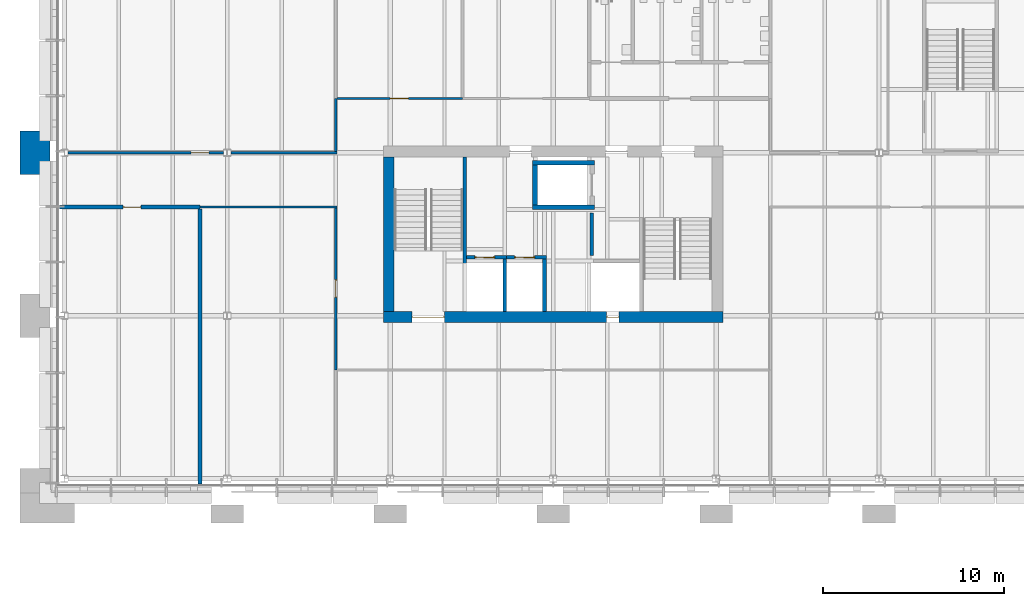
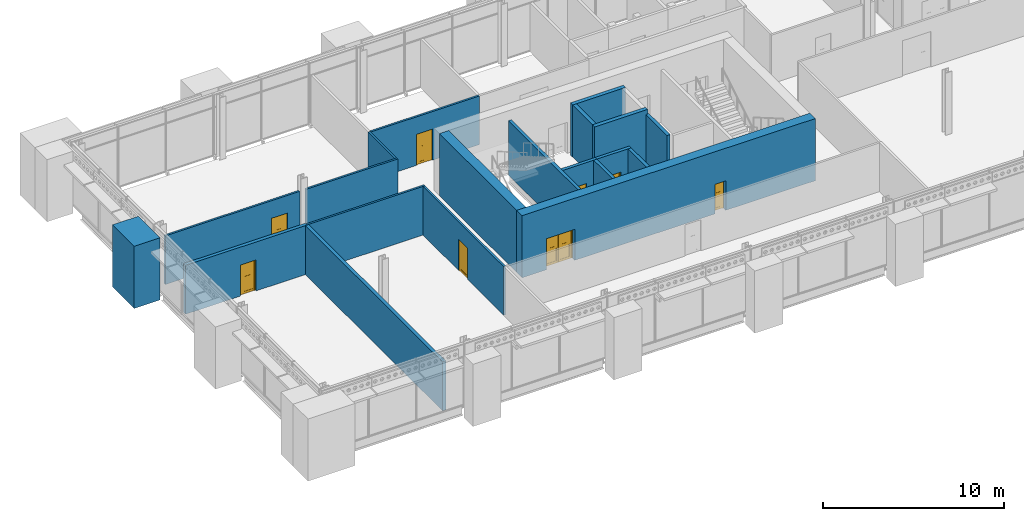
# One storey, part 26 of 54: 20 walls, 8 doors, 8 openings.
"""IFC4 building model written with IfcOpenShell, lengths in metres."""

from ifc_helpers import new_model, si_unit, direction, frame, frame_2d, origin, place, context, subcontext, project, spatial, polyline, rectangle, outline, extrude, material, layer, layer_set, type_object, element, fill, save


model = new_model("IFC4")

# Units and contexts
model_context = context("Model", 3, precision=1e-05, world=origin(), true_north=direction((0.0, 1.0)))
body_context = subcontext(model_context, "Body", "Model", "MODEL_VIEW")
ifc_project = project(units=[si_unit("LENGTHUNIT", "METRE"), si_unit("AREAUNIT", "SQUARE_METRE"), si_unit("VOLUMEUNIT", "CUBIC_METRE"), si_unit("PLANEANGLEUNIT", "RADIAN"), si_unit("MASSUNIT", "GRAM", prefix="KILO")], contexts=[model_context])

# Site, building, storey
site_placement = place(None, origin())
site = spatial("IfcSite", under=ifc_project, at=site_placement, CompositionType="ELEMENT")
building_placement = place(site_placement, origin())
building = spatial("IfcBuilding", under=site, at=building_placement, Name="Baradari Gate Terminus", CompositionType="ELEMENT")
storey_placement = place(building_placement, frame((0.0, 0.0, 15.89990234375)))
storey = spatial("IfcBuildingStorey", under=building, at=storey_placement, Name="L03", CompositionType="ELEMENT", Elevation=15.89990234375)

# Wall, opening, door
ifc_material_1 = material(Name="Gypsum board")
ifc_layer_1 = layer(ifc_material_1, 0.125)
ifc_layer_set_1 = layer_set([ifc_layer_1], Name="Gypsum board")
wall_type_1 = type_object("IfcWallType", Name="Corridor partition PT-5 125 EI 30", PredefinedType="PARTITIONING", material=ifc_layer_set_1)
wall_1_placement = place(storey_placement, frame((24.0, 123.0, 0.0), z_axis=(0.0, 0.0, 1.0), x_axis=(0.0, 1.0, 0.0)))
wall_1 = element("IfcWall", 1, at=wall_1_placement, inside=storey, type_object=wall_type_1, Name="PT-5 partition Corridor / Dispatch Office", PredefinedType="PARTITIONING", context=body_context, shape_type="SweptSolid", body=[
    extrude(rectangle(XDim=8.9375, YDim=0.125, at=frame_2d((4.46875, 0.0))), origin(), (0.0, 0.0, 1.0), 3.287109375),
])
opening_1_placement = place(wall_1_placement, frame((4.0, 0.0, 0.0)))
opening_1 = element("IfcOpeningElement", 2, at=opening_1_placement, cuts=wall_1, Name="Opening D03-021", PredefinedType="OPENING", context=body_context, shape_type="SweptSolid", body=[
    extrude(rectangle(XDim=1.0, YDim=2.10009765625, at=frame_2d((0.5, 1.050048828125))), frame((0.0, 0.072509765625, 0.0), z_axis=(0.0, -1.0, 0.0), x_axis=(1.0, 0.0, 0.0)), (0.0, 0.0, 1.0), 0.14501953125),
])
ifc_material_2 = material(Name="Steel S275", Category="steel")
door_type_1 = type_object("IfcDoorType", Name="Fire door FI-1000-FD30S 1000x2100 FD30S", OperationType="SINGLE_SWING_LEFT", PredefinedType="DOOR", material=ifc_material_2)
door_1_placement = place(opening_1_placement, origin())
door_1 = element("IfcDoor", 3, at=door_1_placement, inside=storey, type_object=door_type_1, Name="Door Dispatch Office", OperationType="SINGLE_SWING_RIGHT", OverallHeight=2.1, OverallWidth=1.0, PredefinedType="DOOR", context=body_context, shape_type="SweptSolid", body=[
    extrude(outline(polyline([(0.0, 0.0), (0.070068359375, 0.0), (0.070068359375, 2.030029296875), (0.929931640625, 2.030029296875), (0.929931640625, 0.0), (1.0, 0.0), (1.0, 2.10009765625), (0.0, 2.10009765625), (0.0, 0.0)])), frame((0.0, 0.02490234375, 0.0), z_axis=(0.0, -1.0, 0.0), x_axis=(1.0, 0.0, 0.0)), (0.0, 0.0, 1.0), 0.050048828125),
    extrude(outline(polyline([(0.073974609375, 0.010009765625), (0.926025390625, 0.010009765625), (0.926025390625, 2.026123046875), (0.073974609375, 2.026123046875), (0.073974609375, 0.010009765625)]), holes=[polyline([(0.194091796875, 0.159912109375), (0.805908203125, 0.159912109375), (0.805908203125, 1.010009765625), (0.194091796875, 1.010009765625), (0.194091796875, 0.159912109375)]), polyline([(0.35009765625, 1.159912109375), (0.64990234375, 1.159912109375), (0.64990234375, 1.760009765625), (0.35009765625, 1.760009765625), (0.35009765625, 1.159912109375)])]), frame((0.0, 0.017333984375, 0.0), z_axis=(0.0, -1.0, 0.0), x_axis=(1.0, 0.0, 0.0)), (0.0, 0.0, 1.0), 0.034912109375),
    extrude(rectangle(XDim=0.61181640625, YDim=0.85009765625, at=frame_2d((0.5, 0.5849609375))), frame((0.0, 0.008544921875, 0.0), z_axis=(0.0, -1.0, 0.0), x_axis=(1.0, 0.0, 0.0)), (0.0, 0.0, 1.0), 0.017333984375),
    extrude(rectangle(XDim=0.2998046875, YDim=0.60009765625, at=frame_2d((0.5, 1.4599609375))), frame((0.0, 0.005859375, 0.0), z_axis=(0.0, -1.0, 0.0), x_axis=(1.0, 0.0, 0.0)), (0.0, 0.0, 1.0), 0.011962890625),
])
fill(opening_1, door_1)

# Wall
wall_2_placement = place(storey_placement, frame((24.0625, 132.0, 0.0), z_axis=(0.0, 0.0, 1.0), x_axis=(-1.0, 0.0, 0.0)))
element("IfcWall", 4, at=wall_2_placement, inside=storey, type_object=wall_type_1, Name="PT-5 partition Corridor / Dispatch Office", PredefinedType="PARTITIONING", context=body_context, shape_type="SweptSolid", body=[
    extrude(rectangle(XDim=7.5625, YDim=0.125, at=frame_2d((3.78125, 0.0))), origin(), (0.0, 0.0, 1.0), 3.287109375),
])

# Wall, opening, door
wall_3_placement = place(storey_placement, frame((9.197509765625, 135.0, 0.0), z_axis=(0.0, 0.0, 1.0), x_axis=(1.0, 0.0, 0.0)))
wall_3 = element("IfcWall", 5, at=wall_3_placement, inside=storey, type_object=wall_type_1, Name="PT-5 partition Corridor / Operations Control Room", PredefinedType="PARTITIONING", context=body_context, shape_type="SweptSolid", body=[
    extrude(rectangle(XDim=8.60107421875, YDim=0.125, at=frame_2d((4.300537109375, 0.0))), origin(), (0.0, 0.0, 1.0), 3.287109375),
])
opening_2_placement = place(wall_3_placement, frame((6.802490234375, 0.0, 0.0)))
opening_2 = element("IfcOpeningElement", 6, at=opening_2_placement, cuts=wall_3, Name="Opening D03-019", PredefinedType="OPENING", context=body_context, shape_type="SweptSolid", body=[
    extrude(rectangle(XDim=1.0, YDim=2.10009765625, at=frame_2d((0.5, 1.050048828125))), frame((0.0, 0.072509765625, 0.0), z_axis=(0.0, -1.0, 0.0), x_axis=(1.0, 0.0, 0.0)), (0.0, 0.0, 1.0), 0.14501953125),
])
door_2_placement = place(opening_2_placement, origin())
door_2 = element("IfcDoor", 7, at=door_2_placement, inside=storey, type_object=door_type_1, Name="Door Operations Control Room", OperationType="SINGLE_SWING_RIGHT", OverallHeight=2.1, OverallWidth=1.0, PredefinedType="DOOR", context=body_context, shape_type="SweptSolid", body=[
    extrude(outline(polyline([(0.0, 0.0), (0.070068359375, 0.0), (0.070068359375, 2.030029296875), (0.929931640625, 2.030029296875), (0.929931640625, 0.0), (1.0, 0.0), (1.0, 2.10009765625), (0.0, 2.10009765625), (0.0, 0.0)])), frame((0.0, 0.02490234375, 0.0), z_axis=(0.0, -1.0, 0.0), x_axis=(1.0, 0.0, 0.0)), (0.0, 0.0, 1.0), 0.050048828125),
    extrude(outline(polyline([(0.073974609375, 0.010009765625), (0.926025390625, 0.010009765625), (0.926025390625, 2.026123046875), (0.073974609375, 2.026123046875), (0.073974609375, 0.010009765625)]), holes=[polyline([(0.194091796875, 0.159912109375), (0.805908203125, 0.159912109375), (0.805908203125, 1.010009765625), (0.194091796875, 1.010009765625), (0.194091796875, 0.159912109375)]), polyline([(0.35009765625, 1.159912109375), (0.64990234375, 1.159912109375), (0.64990234375, 1.760009765625), (0.35009765625, 1.760009765625), (0.35009765625, 1.159912109375)])]), frame((0.0, 0.017333984375, 0.0), z_axis=(0.0, -1.0, 0.0), x_axis=(1.0, 0.0, 0.0)), (0.0, 0.0, 1.0), 0.034912109375),
    extrude(rectangle(XDim=0.61181640625, YDim=0.85009765625, at=frame_2d((0.5, 0.5849609375))), frame((0.0, 0.008544921875, 0.0), z_axis=(0.0, -1.0, 0.0), x_axis=(1.0, 0.0, 0.0)), (0.0, 0.0, 1.0), 0.017333984375),
    extrude(rectangle(XDim=0.2998046875, YDim=0.60009765625, at=frame_2d((0.5, 1.4599609375))), frame((0.0, 0.005859375, 0.0), z_axis=(0.0, -1.0, 0.0), x_axis=(1.0, 0.0, 0.0)), (0.0, 0.0, 1.0), 0.011962890625),
])
fill(opening_2, door_2)

# Walls
wall_4_placement = place(storey_placement, frame((18.201416015625, 135.0, 0.0), z_axis=(0.0, 0.0, 1.0), x_axis=(1.0, 0.0, 0.0)))
element("IfcWall", 8, at=wall_4_placement, inside=storey, type_object=wall_type_1, Name="PT-5 partition Corridor / Operations Control Room", PredefinedType="PARTITIONING", context=body_context, shape_type="SweptSolid", body=[
    extrude(rectangle(XDim=5.861083984375, YDim=0.125, at=frame_2d((2.9306640625, 0.0))), origin(), (0.0, 0.0, 1.0), 3.287109375),
])
wall_5_placement = place(storey_placement, frame((24.0, 135.0625, 0.0), z_axis=(0.0, 0.0, 1.0), x_axis=(0.0, 1.0, 0.0)))
element("IfcWall", 9, at=wall_5_placement, inside=storey, type_object=wall_type_1, Name="PT-5 partition Corridor / Operations Control Room", PredefinedType="PARTITIONING", context=body_context, shape_type="SweptSolid", body=[
    extrude(rectangle(XDim=2.9375, YDim=0.125, at=frame_2d((1.46875, 0.0))), origin(), (0.0, 0.0, 1.0), 3.287109375),
])

# Wall, opening, door
wall_6_placement = place(storey_placement, frame((24.074951171875, 138.0, 0.0), z_axis=(0.0, 0.0, 1.0), x_axis=(1.0, 0.0, 0.0)))
wall_6 = element("IfcWall", 10, at=wall_6_placement, inside=storey, type_object=wall_type_1, Name="PT-5 partition Corridor / Duty Manager Office", PredefinedType="PARTITIONING", context=body_context, shape_type="SweptSolid", body=[
    extrude(rectangle(XDim=6.925048828125, YDim=0.125, at=frame_2d((3.46240234375, 0.0))), origin(), (0.0, 0.0, 1.0), 3.287109375),
])
opening_3_placement = place(wall_6_placement, frame((2.925048828125, 0.0, 0.0)))
opening_3 = element("IfcOpeningElement", 11, at=opening_3_placement, cuts=wall_6, Name="Opening D03-023", PredefinedType="OPENING", context=body_context, shape_type="SweptSolid", body=[
    extrude(rectangle(XDim=1.0, YDim=2.10009765625, at=frame_2d((0.5, 1.050048828125))), frame((0.0, 0.072509765625, 0.0), z_axis=(0.0, -1.0, 0.0), x_axis=(1.0, 0.0, 0.0)), (0.0, 0.0, 1.0), 0.14501953125),
])
door_3_placement = place(opening_3_placement, origin())
door_3 = element("IfcDoor", 12, at=door_3_placement, inside=storey, type_object=door_type_1, Name="Door Duty Manager Office", OperationType="SINGLE_SWING_LEFT", OverallHeight=2.1, OverallWidth=1.0, PredefinedType="DOOR", context=body_context, shape_type="SweptSolid", body=[
    extrude(outline(polyline([(0.0, 0.0), (0.070068359375, 0.0), (0.070068359375, 2.030029296875), (0.929931640625, 2.030029296875), (0.929931640625, 0.0), (1.0, 0.0), (1.0, 2.10009765625), (0.0, 2.10009765625), (0.0, 0.0)])), frame((0.0, 0.02490234375, 0.0), z_axis=(0.0, -1.0, 0.0), x_axis=(1.0, 0.0, 0.0)), (0.0, 0.0, 1.0), 0.050048828125),
    extrude(outline(polyline([(0.073974609375, 0.010009765625), (0.926025390625, 0.010009765625), (0.926025390625, 2.026123046875), (0.073974609375, 2.026123046875), (0.073974609375, 0.010009765625)]), holes=[polyline([(0.194091796875, 0.159912109375), (0.805908203125, 0.159912109375), (0.805908203125, 1.010009765625), (0.194091796875, 1.010009765625), (0.194091796875, 0.159912109375)]), polyline([(0.35009765625, 1.159912109375), (0.64990234375, 1.159912109375), (0.64990234375, 1.760009765625), (0.35009765625, 1.760009765625), (0.35009765625, 1.159912109375)])]), frame((0.0, 0.017333984375, 0.0), z_axis=(0.0, -1.0, 0.0), x_axis=(1.0, 0.0, 0.0)), (0.0, 0.0, 1.0), 0.034912109375),
    extrude(rectangle(XDim=0.61181640625, YDim=0.85009765625, at=frame_2d((0.5, 0.5849609375))), frame((0.0, 0.008544921875, 0.0), z_axis=(0.0, -1.0, 0.0), x_axis=(1.0, 0.0, 0.0)), (0.0, 0.0, 1.0), 0.017333984375),
    extrude(rectangle(XDim=0.2998046875, YDim=0.60009765625, at=frame_2d((0.5, 1.4599609375))), frame((0.0, 0.005859375, 0.0), z_axis=(0.0, -1.0, 0.0), x_axis=(1.0, 0.0, 0.0)), (0.0, 0.0, 1.0), 0.011962890625),
])
fill(opening_3, door_3)

# Walls
ifc_material_3 = material(Name="Concrete C32/40", Category="concrete")
ifc_layer_2 = layer(ifc_material_3, 0.25)
ifc_layer_set_2 = layer_set([ifc_layer_2], Name="Concrete C32/40")
wall_type_2 = type_object("IfcWallType", Name="Firefighting lift shaft wall SH-2 250 EI 120", PredefinedType="SOLIDWALL", material=ifc_layer_set_2)
for number, where, z_axis, x_axis, name in (
    (13, (34.875, 132.0, 0.0), (0.0, 0.0, 1.0), (1.0, 0.0, 0.0), "Lift shaft wall LT3 L03 S"),
    (14, (34.875, 134.449951171875, 0.0), (0.0, 0.0, 1.0), (1.0, 0.0, 0.0), "Lift shaft wall LT3 L03 N"),
):
    element("IfcWall", number, at=place(storey_placement, frame(where, z_axis=z_axis, x_axis=x_axis)), inside=storey, type_object=wall_type_2, Name=name, PredefinedType="SOLIDWALL", context=body_context, shape_type="SweptSolid", body=[
        extrude(rectangle(XDim=3.39990234375, YDim=0.25, at=frame_2d((1.699951171875, 0.0))), origin(), (0.0, 0.0, 1.0), 3.51611328125),
    ])
wall_7_placement = place(storey_placement, frame((35.0, 132.125, 0.0), z_axis=(0.0, 0.0, 1.0), x_axis=(0.0, 1.0, 0.0)))
element("IfcWall", 15, at=wall_7_placement, inside=storey, type_object=wall_type_2, Name="Lift shaft wall LT3 L03 W", PredefinedType="SOLIDWALL", context=body_context, shape_type="SweptSolid", body=[
    extrude(rectangle(XDim=2.199951171875, YDim=0.25, at=frame_2d((1.10009765625, 0.0))), origin(), (0.0, 0.0, 1.0), 3.51611328125),
])

# Wall, opening, door
ifc_material_4 = material(Name="Blockwork wall, fire rated", Category="masonry")
ifc_layer_3 = layer(ifc_material_4, 0.199951171875)
ifc_layer_set_3 = layer_set([ifc_layer_3], Name="Blockwork wall, fire rated")
wall_type_3 = type_object("IfcWallType", Name="Lift shaft wall SH-1 200 EI 120", PredefinedType="SOLIDWALL", material=ifc_layer_set_3)
wall_8_placement = place(storey_placement, frame((31.22705078125, 129.22509765625, 0.0), z_axis=(0.0, 0.0, 1.0), x_axis=(1.0, 0.0, 0.0)))
wall_8 = element("IfcWall", 16, at=wall_8_placement, inside=storey, type_object=wall_type_3, Name="Lift shaft wall LT1 L03 N", PredefinedType="SOLIDWALL", context=body_context, shape_type="SweptSolid", body=[
    extrude(rectangle(XDim=2.197998046875, YDim=0.199951171875, at=frame_2d((1.09912109375, 0.0))), origin(), (0.0, 0.0, 1.0), 3.51611328125),
])
opening_4_placement = place(wall_8_placement, frame((0.447998046875, 0.0, 0.0)))
opening_4 = element("IfcOpeningElement", 17, at=opening_4_placement, cuts=wall_8, Name="Opening D03-005", PredefinedType="OPENING", context=body_context, shape_type="SweptSolid", body=[
    extrude(rectangle(XDim=1.10009765625, YDim=2.10009765625, at=frame_2d((0.550048828125, 1.050048828125))), frame((0.0, 0.10986328125, 0.0), z_axis=(0.0, -1.0, 0.0), x_axis=(1.0, 0.0, 0.0)), (0.0, 0.0, 1.0), 0.219970703125),
])
ifc_material_5 = material(Name="Stainless steel 1.4301", Category="steel")
door_type_2 = type_object("IfcDoorType", Name="Lift landing door LD 1100x2100 E 120", OperationType="SLIDING_TO_LEFT", PredefinedType="DOOR", material=ifc_material_5)
door_4_placement = place(opening_4_placement, origin())
door_4 = element("IfcDoor", 18, at=door_4_placement, inside=storey, type_object=door_type_2, Name="Lift landing door LT1 L03", OperationType="SLIDING_TO_LEFT", OverallHeight=2.1, OverallWidth=1.1, PredefinedType="DOOR", context=body_context, shape_type="SweptSolid", body=[
    extrude(outline(polyline([(0.0, 0.0), (0.070068359375, 0.0), (0.070068359375, 2.030029296875), (1.030029296875, 2.030029296875), (1.030029296875, 0.0), (1.10009765625, 0.0), (1.10009765625, 2.10009765625), (0.0, 2.10009765625), (0.0, 0.0)])), frame((0.0, 0.02490234375, 0.0), z_axis=(0.0, -1.0, 0.0), x_axis=(1.0, 0.0, 0.0)), (0.0, 0.0, 1.0), 0.050048828125),
    extrude(rectangle(XDim=0.523681640625, YDim=2.01611328125, at=frame_2d((0.3359375, 1.01806640625))), frame((0.0, 0.017822265625, 0.0), z_axis=(0.0, -1.0, 0.0), x_axis=(1.0, 0.0, 0.0)), (0.0, 0.0, 1.0), 0.015869140625),
    extrude(rectangle(XDim=0.519775390625, YDim=2.01611328125, at=frame_2d((0.76611328125, 1.01806640625))), frame((0.0, -0.002197265625, 0.0), z_axis=(0.0, -1.0, 0.0), x_axis=(1.0, 0.0, 0.0)), (0.0, 0.0, 1.0), 0.015869140625),
])
fill(opening_4, door_4)

# Wall
wall_9_placement = place(storey_placement, frame((33.324951171875, 126.22705078125, 0.0), z_axis=(0.0, 0.0, 1.0), x_axis=(0.0, 1.0, 0.0)))
element("IfcWall", 19, at=wall_9_placement, inside=storey, type_object=wall_type_3, Name="Lift shaft wall LT1 L03 E", PredefinedType="SOLIDWALL", context=body_context, shape_type="SweptSolid", body=[
    extrude(rectangle(XDim=2.89794921875, YDim=0.199951171875, at=frame_2d((1.448974609375, 0.0))), origin(), (0.0, 0.0, 1.0), 3.51611328125),
])

# Wall, opening, door
wall_10_placement = place(storey_placement, frame((33.427001953125, 129.22509765625, 0.0), z_axis=(0.0, 0.0, 1.0), x_axis=(1.0, 0.0, 0.0)))
wall_10 = element("IfcWall", 20, at=wall_10_placement, inside=storey, type_object=wall_type_3, Name="Lift shaft wall LT2 L03 N", PredefinedType="SOLIDWALL", context=body_context, shape_type="SweptSolid", body=[
    extrude(rectangle(XDim=2.197998046875, YDim=0.199951171875, at=frame_2d((1.09912109375, 0.0))), origin(), (0.0, 0.0, 1.0), 3.51611328125),
])
opening_5_placement = place(wall_10_placement, frame((0.447998046875, 0.0, 0.0)))
opening_5 = element("IfcOpeningElement", 21, at=opening_5_placement, cuts=wall_10, Name="Opening D03-006", PredefinedType="OPENING", context=body_context, shape_type="SweptSolid", body=[
    extrude(rectangle(XDim=1.10009765625, YDim=2.10009765625, at=frame_2d((0.550048828125, 1.050048828125))), frame((0.0, 0.10986328125, 0.0), z_axis=(0.0, -1.0, 0.0), x_axis=(1.0, 0.0, 0.0)), (0.0, 0.0, 1.0), 0.219970703125),
])
door_5_placement = place(opening_5_placement, origin())
door_5 = element("IfcDoor", 22, at=door_5_placement, inside=storey, type_object=door_type_2, Name="Lift landing door LT2 L03", OperationType="SLIDING_TO_LEFT", OverallHeight=2.1, OverallWidth=1.1, PredefinedType="DOOR", context=body_context, shape_type="SweptSolid", body=[
    extrude(outline(polyline([(0.0, 0.0), (0.070068359375, 0.0), (0.070068359375, 2.030029296875), (1.030029296875, 2.030029296875), (1.030029296875, 0.0), (1.10009765625, 0.0), (1.10009765625, 2.10009765625), (0.0, 2.10009765625), (0.0, 0.0)])), frame((0.0, 0.02490234375, 0.0), z_axis=(0.0, -1.0, 0.0), x_axis=(1.0, 0.0, 0.0)), (0.0, 0.0, 1.0), 0.050048828125),
    extrude(rectangle(XDim=0.523681640625, YDim=2.01611328125, at=frame_2d((0.3359375, 1.01806640625))), frame((0.0, 0.017822265625, 0.0), z_axis=(0.0, -1.0, 0.0), x_axis=(1.0, 0.0, 0.0)), (0.0, 0.0, 1.0), 0.015869140625),
    extrude(rectangle(XDim=0.519775390625, YDim=2.01611328125, at=frame_2d((0.76611328125, 1.01806640625))), frame((0.0, -0.002197265625, 0.0), z_axis=(0.0, -1.0, 0.0), x_axis=(1.0, 0.0, 0.0)), (0.0, 0.0, 1.0), 0.015869140625),
])
fill(opening_5, door_5)

# Walls
wall_11_placement = place(storey_placement, frame((35.52490234375, 126.22705078125, 0.0), z_axis=(0.0, 0.0, 1.0), x_axis=(0.0, 1.0, 0.0)))
element("IfcWall", 23, at=wall_11_placement, inside=storey, type_object=wall_type_3, Name="Lift shaft wall LT2 L03 E", PredefinedType="SOLIDWALL", context=body_context, shape_type="SweptSolid", body=[
    extrude(rectangle(XDim=2.89794921875, YDim=0.199951171875, at=frame_2d((1.448974609375, 0.0))), origin(), (0.0, 0.0, 1.0), 3.51611328125),
])
ifc_material_6 = material(Name="Blockwork wall, plastered, fire rated", Category="masonry")
ifc_layer_4 = layer(ifc_material_6, 0.199951171875)
ifc_layer_set_4 = layer_set([ifc_layer_4], Name="Blockwork wall, plastered, fire rated")
wall_type_4 = type_object("IfcWallType", Name="Lobby partition PT-4 200 EI 60", PredefinedType="PARTITIONING", material=ifc_layer_set_4)
wall_12_placement = place(storey_placement, frame((38.125, 131.675048828125, 0.0), z_axis=(0.0, 0.0, 1.0), x_axis=(0.0, -1.0, 0.0)))
element("IfcWall", 24, at=wall_12_placement, inside=storey, type_object=wall_type_4, Name="PT-4 partition Lift Lobby / Lift Lobby (Fire-fighting)", PredefinedType="PARTITIONING", context=body_context, shape_type="SweptSolid", body=[
    extrude(rectangle(XDim=2.35009765625, YDim=0.199951171875, at=frame_2d((1.175048828125, 0.0))), origin(), (0.0, 0.0, 1.0), 3.382080078125),
])

# Wall, openings, doors
ifc_material_7 = material(Name="Concrete C40/50", Category="concrete")
ifc_layer_5 = layer(ifc_material_7, 0.60009765625)
ifc_layer_set_5 = layer_set([ifc_layer_5], Name="Concrete C40/50")
wall_type_5 = type_object("IfcWallType", Name="Operations block core wall CWL01 600", PredefinedType="SOLIDWALL", material=ifc_layer_set_5)
wall_13_placement = place(storey_placement, frame((26.625, 125.925048828125, 0.0), z_axis=(0.0, 0.0, 1.0), x_axis=(1.0, 0.0, 0.0)))
wall_13 = element("IfcWall", 25, at=wall_13_placement, inside=storey, type_object=wall_type_5, Name="Operations block core wall CT S L03", PredefinedType="SOLIDWALL", context=body_context, shape_type="SweptSolid", body=[
    extrude(rectangle(XDim=18.75, YDim=0.60009765625, at=frame_2d((9.375, 0.0))), origin(), (0.0, 0.0, 1.0), 4.2001953125),
])
opening_6_placement = place(wall_13_placement, frame((1.574951171875, 0.0, 0.0)))
opening_6 = element("IfcOpeningElement", 26, at=opening_6_placement, cuts=wall_13, Name="Opening D03-008", PredefinedType="OPENING", context=body_context, shape_type="SweptSolid", body=[
    extrude(rectangle(XDim=1.800048828125, YDim=2.10009765625, at=frame_2d((0.89990234375, 1.050048828125))), frame((0.0, 0.31005859375, 0.0), z_axis=(0.0, -1.0, 0.0), x_axis=(1.0, 0.0, 0.0)), (0.0, 0.0, 1.0), 0.6201171875),
])
opening_7_placement = place(wall_13_placement, frame((12.324951171875, 0.0, 0.0)))
opening_7 = element("IfcOpeningElement", 27, at=opening_7_placement, cuts=wall_13, Name="Opening D03-012", PredefinedType="OPENING", context=body_context, shape_type="SweptSolid", body=[
    extrude(rectangle(XDim=0.699951171875, YDim=2.0, at=frame_2d((0.35009765625, 1.0))), frame((0.0, 0.31005859375, 0.0), z_axis=(0.0, -1.0, 0.0), x_axis=(1.0, 0.0, 0.0)), (0.0, 0.0, 1.0), 0.6201171875),
])
ifc_material_8 = material(Name="Steel S275", Category="steel")
door_type_3 = type_object("IfcDoorType", Name="Fire door FI-1800-FD90S 1800x2100 FD90S", OperationType="DOUBLE_DOOR_SINGLE_SWING", PredefinedType="DOOR", material=ifc_material_8)
door_6_placement = place(opening_6_placement, origin())
door_6 = element("IfcDoor", 28, at=door_6_placement, inside=storey, type_object=door_type_3, Name="Door Stair (Core) 1", OperationType="DOUBLE_DOOR_SINGLE_SWING", OverallHeight=2.1, OverallWidth=1.8, PredefinedType="DOOR", context=body_context, shape_type="SweptSolid", body=[
    extrude(outline(polyline([(0.0, 0.0), (0.070068359375, 0.0), (0.070068359375, 2.030029296875), (1.72998046875, 2.030029296875), (1.72998046875, 0.0), (1.800048828125, 0.0), (1.800048828125, 2.10009765625), (0.0, 2.10009765625), (0.0, 0.0)])), frame((0.0, 0.02490234375, 0.0), z_axis=(0.0, -1.0, 0.0), x_axis=(1.0, 0.0, 0.0)), (0.0, 0.0, 1.0), 0.050048828125),
    extrude(outline(polyline([(0.073974609375, 0.010009765625), (0.89697265625, 0.010009765625), (0.89697265625, 2.026123046875), (0.073974609375, 2.026123046875), (0.073974609375, 0.010009765625)]), holes=[polyline([(0.194091796875, 0.159912109375), (0.77685546875, 0.159912109375), (0.77685546875, 1.010009765625), (0.194091796875, 1.010009765625), (0.194091796875, 0.159912109375)]), polyline([(0.33544921875, 1.159912109375), (0.635498046875, 1.159912109375), (0.635498046875, 1.760009765625), (0.33544921875, 1.760009765625), (0.33544921875, 1.159912109375)])]), frame((0.0, 0.017333984375, 0.0), z_axis=(0.0, -1.0, 0.0), x_axis=(1.0, 0.0, 0.0)), (0.0, 0.0, 1.0), 0.034912109375),
    extrude(rectangle(XDim=0.582763671875, YDim=0.85009765625, at=frame_2d((0.4853515625, 0.5849609375))), frame((0.0, 0.008544921875, 0.0), z_axis=(0.0, -1.0, 0.0), x_axis=(1.0, 0.0, 0.0)), (0.0, 0.0, 1.0), 0.017333984375),
    extrude(rectangle(XDim=0.300048828125, YDim=0.60009765625, at=frame_2d((0.4853515625, 1.4599609375))), frame((0.0, 0.005859375, 0.0), z_axis=(0.0, -1.0, 0.0), x_axis=(1.0, 0.0, 0.0)), (0.0, 0.0, 1.0), 0.011962890625),
    extrude(outline(polyline([(0.903076171875, 0.010009765625), (1.72607421875, 0.010009765625), (1.72607421875, 2.026123046875), (0.903076171875, 2.026123046875), (0.903076171875, 0.010009765625)]), holes=[polyline([(1.023193359375, 0.159912109375), (1.60595703125, 0.159912109375), (1.60595703125, 1.010009765625), (1.023193359375, 1.010009765625), (1.023193359375, 0.159912109375)]), polyline([(1.16455078125, 1.159912109375), (1.464599609375, 1.159912109375), (1.464599609375, 1.760009765625), (1.16455078125, 1.760009765625), (1.16455078125, 1.159912109375)])]), frame((0.0, 0.017333984375, 0.0), z_axis=(0.0, -1.0, 0.0), x_axis=(1.0, 0.0, 0.0)), (0.0, 0.0, 1.0), 0.034912109375),
    extrude(rectangle(XDim=0.582763671875, YDim=0.85009765625, at=frame_2d((1.314453125, 0.5849609375))), frame((0.0, 0.008544921875, 0.0), z_axis=(0.0, -1.0, 0.0), x_axis=(1.0, 0.0, 0.0)), (0.0, 0.0, 1.0), 0.017333984375),
    extrude(rectangle(XDim=0.300048828125, YDim=0.60009765625, at=frame_2d((1.314453125, 1.4599609375))), frame((0.0, 0.005859375, 0.0), z_axis=(0.0, -1.0, 0.0), x_axis=(1.0, 0.0, 0.0)), (0.0, 0.0, 1.0), 0.011962890625),
])
fill(opening_6, door_6)
ifc_material_9 = material(Name="Steel S275", Category="steel")
door_type_4 = type_object("IfcDoorType", Name="Fire door FI-700x2000-FD90S 700x2000 FD90S", OperationType="SINGLE_SWING_LEFT", PredefinedType="DOOR", material=ifc_material_9)
door_7_placement = place(opening_7_placement, origin())
door_7 = element("IfcDoor", 29, at=door_7_placement, inside=storey, type_object=door_type_4, Name="Door Riser", OperationType="SINGLE_SWING_RIGHT", OverallHeight=2.0, OverallWidth=0.7, PredefinedType="DOOR", context=body_context, shape_type="SweptSolid", body=[
    extrude(outline(polyline([(0.0, 0.0), (0.070068359375, 0.0), (0.070068359375, 1.929931640625), (0.6298828125, 1.929931640625), (0.6298828125, 0.0), (0.699951171875, 0.0), (0.699951171875, 2.0), (0.0, 2.0), (0.0, 0.0)])), frame((0.0, 0.02490234375, 0.0), z_axis=(0.0, -1.0, 0.0), x_axis=(1.0, 0.0, 0.0)), (0.0, 0.0, 1.0), 0.050048828125),
    extrude(outline(polyline([(0.073974609375, 0.010009765625), (0.6259765625, 0.010009765625), (0.6259765625, 1.926025390625), (0.073974609375, 1.926025390625), (0.073974609375, 0.010009765625)]), holes=[polyline([(0.184326171875, 0.159912109375), (0.515625, 0.159912109375), (0.515625, 1.010009765625), (0.184326171875, 1.010009765625), (0.184326171875, 0.159912109375)]), polyline([(0.199951171875, 1.159912109375), (0.5, 1.159912109375), (0.5, 1.760009765625), (0.199951171875, 1.760009765625), (0.199951171875, 1.159912109375)])]), frame((0.0, 0.017333984375, 0.0), z_axis=(0.0, -1.0, 0.0), x_axis=(1.0, 0.0, 0.0)), (0.0, 0.0, 1.0), 0.034912109375),
    extrude(rectangle(XDim=0.331298828125, YDim=0.85009765625, at=frame_2d((0.35009765625, 0.5849609375))), frame((0.0, 0.008544921875, 0.0), z_axis=(0.0, -1.0, 0.0), x_axis=(1.0, 0.0, 0.0)), (0.0, 0.0, 1.0), 0.017333984375),
    extrude(rectangle(XDim=0.300048828125, YDim=0.60009765625, at=frame_2d((0.35009765625, 1.4599609375))), frame((0.0, 0.005859375, 0.0), z_axis=(0.0, -1.0, 0.0), x_axis=(1.0, 0.0, 0.0)), (0.0, 0.0, 1.0), 0.011962890625),
])
fill(opening_7, door_7)

# Wall
wall_14_placement = place(storey_placement, frame((26.925048828125, 126.22509765625, 0.0), z_axis=(0.0, 0.0, 1.0), x_axis=(0.0, 1.0, 0.0)))
element("IfcWall", 30, at=wall_14_placement, inside=storey, type_object=wall_type_5, Name="Operations block core wall CT W L03", PredefinedType="SOLIDWALL", context=body_context, shape_type="SweptSolid", body=[
    extrude(rectangle(XDim=8.5498046875, YDim=0.60009765625, at=frame_2d((4.27490234375, 0.0))), origin(), (0.0, 0.0, 1.0), 4.2001953125),
])

# Wall, opening, door
ifc_material_10 = material(Name="Dense blockwork wall, plastered, acoustic", Category="masonry")
ifc_layer_6 = layer(ifc_material_10, 0.215087890625)
ifc_layer_set_6 = layer_set([ifc_layer_6], Name="Dense blockwork wall, plastered, acoustic")
wall_type_6 = type_object("IfcWallType", Name="Plant room wall PT-7 215 EI 60", PredefinedType="PARTITIONING", material=ifc_layer_set_6)
wall_15_placement = place(storey_placement, frame((16.5, 132.0, 0.0), z_axis=(0.0, 0.0, 1.0), x_axis=(-1.0, 0.0, 0.0)))
wall_15 = element("IfcWall", 31, at=wall_15_placement, inside=storey, type_object=wall_type_6, Name="PT-7 partition Corridor / Signalling Equipment Room", PredefinedType="PARTITIONING", context=body_context, shape_type="SweptSolid", body=[
    extrude(rectangle(XDim=7.77001953125, YDim=0.215087890625, at=frame_2d((3.885009765625, 0.0))), origin(), (0.0, 0.0, 1.0), 3.30712890625),
])
opening_8_placement = place(wall_15_placement, frame((3.25, 0.0, 0.0)))
opening_8 = element("IfcOpeningElement", 32, at=opening_8_placement, cuts=wall_15, Name="Opening D03-020", PredefinedType="OPENING", context=body_context, shape_type="SweptSolid", body=[
    extrude(rectangle(XDim=1.0, YDim=2.10009765625, at=frame_2d((0.5, 1.050048828125))), frame((0.0, 0.117431640625, 0.0), z_axis=(0.0, -1.0, 0.0), x_axis=(1.0, 0.0, 0.0)), (0.0, 0.0, 1.0), 0.235107421875),
])
ifc_material_11 = material(Name="Steel S275", Category="steel")
door_type_5 = type_object("IfcDoorType", Name="Fire door FI-1000-FD60S 1000x2100 FD60S", OperationType="SINGLE_SWING_LEFT", PredefinedType="DOOR", material=ifc_material_11)
door_8_placement = place(opening_8_placement, origin())
door_8 = element("IfcDoor", 33, at=door_8_placement, inside=storey, type_object=door_type_5, Name="Door Signalling Equipment Room", OperationType="SINGLE_SWING_LEFT", OverallHeight=2.1, OverallWidth=1.0, PredefinedType="DOOR", context=body_context, shape_type="SweptSolid", body=[
    extrude(outline(polyline([(0.0, 0.0), (0.070068359375, 0.0), (0.070068359375, 2.030029296875), (0.929931640625, 2.030029296875), (0.929931640625, 0.0), (1.0, 0.0), (1.0, 2.10009765625), (0.0, 2.10009765625), (0.0, 0.0)])), frame((0.0, 0.02490234375, 0.0), z_axis=(0.0, -1.0, 0.0), x_axis=(1.0, 0.0, 0.0)), (0.0, 0.0, 1.0), 0.050048828125),
    extrude(outline(polyline([(0.073974609375, 0.010009765625), (0.926025390625, 0.010009765625), (0.926025390625, 2.026123046875), (0.073974609375, 2.026123046875), (0.073974609375, 0.010009765625)]), holes=[polyline([(0.194091796875, 0.159912109375), (0.805908203125, 0.159912109375), (0.805908203125, 1.010009765625), (0.194091796875, 1.010009765625), (0.194091796875, 0.159912109375)]), polyline([(0.35009765625, 1.159912109375), (0.64990234375, 1.159912109375), (0.64990234375, 1.760009765625), (0.35009765625, 1.760009765625), (0.35009765625, 1.159912109375)])]), frame((0.0, 0.017333984375, 0.0), z_axis=(0.0, -1.0, 0.0), x_axis=(1.0, 0.0, 0.0)), (0.0, 0.0, 1.0), 0.034912109375),
    extrude(rectangle(XDim=0.61181640625, YDim=0.85009765625, at=frame_2d((0.5, 0.5849609375))), frame((0.0, 0.008544921875, 0.0), z_axis=(0.0, -1.0, 0.0), x_axis=(1.0, 0.0, 0.0)), (0.0, 0.0, 1.0), 0.017333984375),
    extrude(rectangle(XDim=0.2998046875, YDim=0.60009765625, at=frame_2d((0.5, 1.4599609375))), frame((0.0, 0.005859375, 0.0), z_axis=(0.0, -1.0, 0.0), x_axis=(1.0, 0.0, 0.0)), (0.0, 0.0, 1.0), 0.011962890625),
])
fill(opening_8, door_8)

# Walls
wall_16_placement = place(storey_placement, frame((16.5, 131.892578125, 0.0), z_axis=(0.0, 0.0, 1.0), x_axis=(0.0, -1.0, 0.0)))
element("IfcWall", 34, at=wall_16_placement, inside=storey, type_object=wall_type_6, Name="PT-7 partition Signalling Equipment Room / Dispatch Office", PredefinedType="PARTITIONING", context=body_context, shape_type="SweptSolid", body=[
    extrude(rectangle(XDim=15.1875, YDim=0.215087890625, at=frame_2d((7.59375, 0.0))), origin(), (0.0, 0.0, 1.0), 3.30712890625),
])
ifc_material_12 = material(Name="Concrete C40/50 precast", Category="concrete")
ifc_layer_7 = layer(ifc_material_12, 1.55)
ifc_material_13 = material(Name="Sandstone cladding", Category="masonry")
ifc_layer_8 = layer(ifc_material_13, 0.1)
ifc_layer_set_7 = layer_set([ifc_layer_7, ifc_layer_8], Name="Concrete C40/50 precast")
wall_type_7 = type_object("IfcWallType", Name="Sandstone-faced precast frame pier WQ-4 1650", PredefinedType="SOLIDWALL", material=ifc_layer_set_7)
wall_17_placement = place(storey_placement, frame((7.3798828125, 133.800048828125, 0.0), z_axis=(0.0, 0.0, 1.0), x_axis=(0.0, 1.0, 0.0)))
element("IfcWall", 35, at=wall_17_placement, inside=storey, type_object=wall_type_7, Name="Frame pier W face bay 1 b L03", PredefinedType="SOLIDWALL", context=body_context, shape_type="SweptSolid", body=[
    extrude(rectangle(XDim=2.39990234375, YDim=1.64990234375, at=frame_2d((1.199951171875, 0.0))), origin(), (0.0, 0.0, 1.0), 4.2001953125),
])
ifc_material_14 = material(Name="Concrete C40/50", Category="concrete")
ifc_layer_9 = layer(ifc_material_14, 0.199951171875)
ifc_layer_set_8 = layer_set([ifc_layer_9], Name="Concrete C40/50")
wall_type_8 = type_object("IfcWallType", Name="Stair enclosure wall SE-1 200 EI 120", PredefinedType="SOLIDWALL", material=ifc_layer_set_8)
wall_18_placement = place(storey_placement, frame((31.125, 126.22705078125, -0.1298828125), z_axis=(0.0, 0.0, 1.0), x_axis=(0.0, 1.0, 0.0)))
element("IfcWall", 36, at=wall_18_placement, inside=storey, type_object=wall_type_8, Name="Stair enclosure wall SE-1 ST-T1 L03 E", PredefinedType="SOLIDWALL", context=body_context, shape_type="SweptSolid", body=[
    extrude(rectangle(XDim=8.5458984375, YDim=0.199951171875, at=frame_2d((4.27294921875, 0.0))), origin(), (0.0, 0.0, 1.0), 3.666015625),
])

save(model, "model.ifc")
